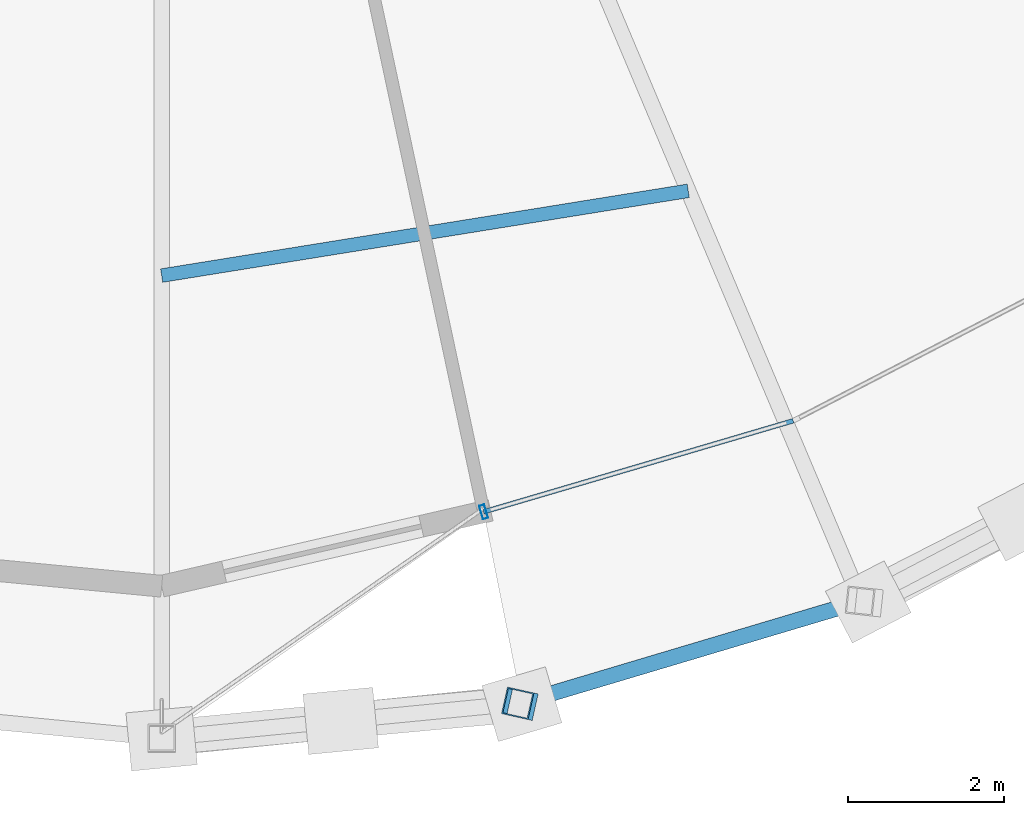
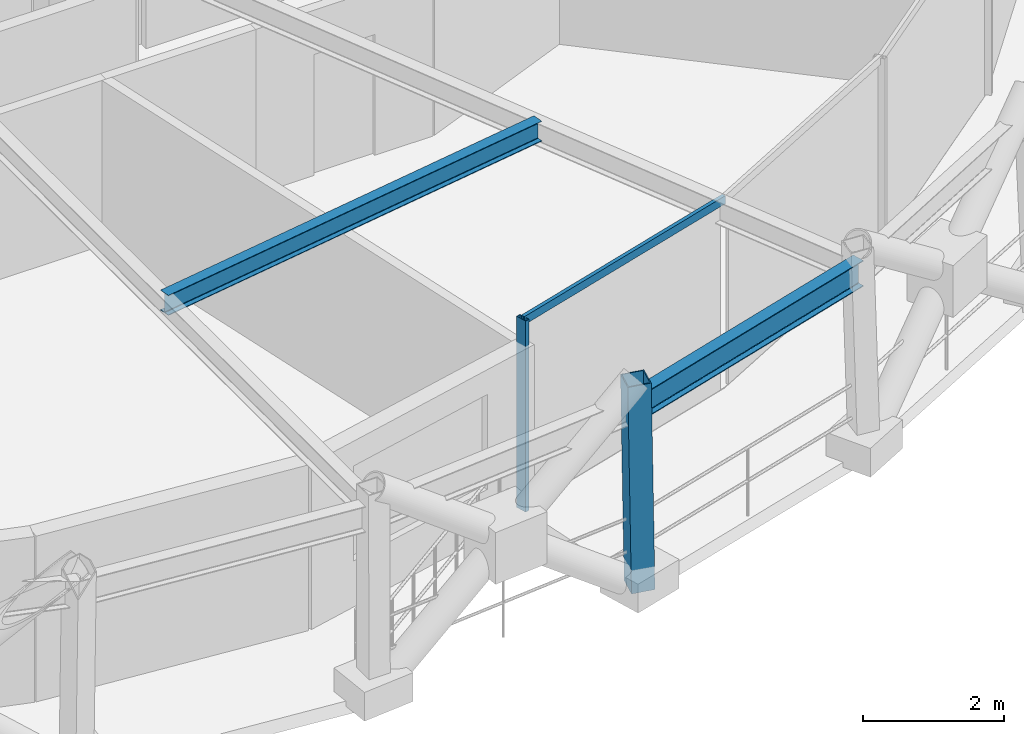
# One storey, part 2 of 16: 3 members, 2 beams, 1 element without a shape of its own.
"""IFC4 building model written with IfcOpenShell, lengths in metres."""

from ifc_helpers import new_model, si_unit, direction, frame, origin, origin_2d, place, context, subcontext, project, spatial, hollow_rectangle, i_section, extrude, material, layer, layer_set, material_profile, profile_set, type_object, element, aggregate, save


model = new_model("IFC4")

# Units and contexts
model_context = context("Model", 3, precision=1e-05, world=origin(), true_north=direction((0.0, 1.0)))
body_context = subcontext(model_context, "Body", "Model", "MODEL_VIEW")
ifc_project = project(units=[si_unit("LENGTHUNIT", "METRE"), si_unit("AREAUNIT", "SQUARE_METRE"), si_unit("VOLUMEUNIT", "CUBIC_METRE"), si_unit("PLANEANGLEUNIT", "RADIAN"), si_unit("MASSUNIT", "GRAM", prefix="KILO")], contexts=[model_context])

# Site, building, storey
site_placement = place(None, origin())
site = spatial("IfcSite", under=ifc_project, at=site_placement, CompositionType="ELEMENT")
building_placement = place(site_placement, origin())
building = spatial("IfcBuilding", under=site, at=building_placement, Name="Veldorina Hangang Commons", CompositionType="ELEMENT")
storey_placement = place(building_placement, frame((0.0, 0.0, 240.0)))
storey = spatial("IfcBuildingStorey", under=building, at=storey_placement, Name="L62", CompositionType="ELEMENT", Elevation=240.0)

# Beams
ifc_material_1 = material(Name="Steel SM355-TMC", Category="steel")
ifc_material_profile_1 = material_profile(ifc_material_1, i_section(OverallWidth=0.175048828125, OverallDepth=0.35009765625, WebThickness=0.007080078125, FlangeThickness=0.010986328125, FilletRadius=0.012939453125, at=origin_2d()), Name="H-350x175x7x11")
ifc_profile_set_1 = profile_set([ifc_material_profile_1], Name="Steel SM355-TMC")
beam_type_1 = type_object("IfcBeamType", Name="BM-JST350", PredefinedType="JOIST", material=ifc_profile_set_1)
beam_1_placement = place(storey_placement, frame((32.0, 6.857421875, 3.18505859375), z_axis=(0.987285882717, 0.158954665825, 0.0), x_axis=(-0.158954665825, 0.987285882717, 0.0)))
element("IfcBeam", 1, at=beam_1_placement, inside=storey, type_object=beam_type_1, Name="L62 secondary floor joist 13", PredefinedType="JOIST", context=body_context, shape_type="SweptSolid", body=[
    extrude(i_section(OverallWidth=0.175048828125, OverallDepth=0.35009765625, WebThickness=0.007080078125, FlangeThickness=0.010986328125, FilletRadius=0.012939453125, at=origin_2d()), origin(), (0.0, 0.0, 1.0), 6.853271484375),
])
ifc_material_profile_2 = material_profile(ifc_material_1, i_section(OverallWidth=0.199951171875, OverallDepth=0.449951171875, WebThickness=0.009033203125, FlangeThickness=0.013916015625, FilletRadius=0.01611328125, at=origin_2d()), Name="H-450x200x9x14")
ifc_profile_set_2 = profile_set([ifc_material_profile_2], Name="Steel SM355-TMC")
beam_type_2 = type_object("IfcBeamType", Name="BM-RB450", PredefinedType="BEAM", material=ifc_profile_set_2)
beam_2_placement = place(storey_placement, frame((36.58251953125, 1.360107421875, 3.135009765625), z_axis=(0.958308680309, 0.285734970286, 0.0), x_axis=(-0.285734970286, 0.958308680309, 0.0)))
element("IfcBeam", 2, at=beam_2_placement, inside=storey, type_object=beam_type_2, Name="L62 perimeter hoop ring beam 25", PredefinedType="BEAM", context=body_context, shape_type="SweptSolid", body=[
    extrude(i_section(OverallWidth=0.199951171875, OverallDepth=0.449951171875, WebThickness=0.009033203125, FlangeThickness=0.013916015625, FilletRadius=0.01611328125, at=origin_2d()), origin(), (0.0, 0.0, 1.0), 4.59765625),
])

# Curtain wall, members
ifc_material_2 = material(Name="Glass Low-E Selective", Category="glass")
ifc_layer = layer(ifc_material_2, 0.179931640625)
ifc_layer_set = layer_set([ifc_layer], Name="Glass Low-E Selective")
curtain_wall_type = type_object("IfcCurtainWallType", Name="CW-SYS-Z3", PredefinedType="NOTDEFINED", material=ifc_layer_set)
curtain_wall_placement = place(storey_placement, origin())
curtain_wall = element("IfcCurtainWall", 3, at=curtain_wall_placement, inside=storey, type_object=curtain_wall_type, Name="L62 unitised curtain wall CW-L62-R1", PredefinedType="NOTDEFINED")
ifc_material_3 = material(Name="Aluminium Anodized AA6063-T6", Category="aluminium")
ifc_material_profile_3 = material_profile(ifc_material_3, hollow_rectangle(XDim=0.070068359375, YDim=0.179931640625, WallThickness=0.00390625, at=origin_2d()), Name="ALU-RHS-180x70x4")
ifc_profile_set_3 = profile_set([ifc_material_profile_3], Name="Aluminium Anodized AA6063-T6")
member_type_1 = type_object("IfcMemberType", Name="CW-MUL-180", PredefinedType="MULLION", material=ifc_profile_set_3)
member_1_placement = place(storey_placement, frame((36.136962890625, 3.8212890625, 0.0), z_axis=(0.0, 0.0, 1.0), x_axis=(0.95931397454, 0.282341456843, 0.0)))
member_1 = element("IfcMember", 4, at=member_1_placement, type_object=member_type_1, Name="CW-L62-R1 vertical mullion 1", PredefinedType="MULLION", context=body_context, shape_type="SweptSolid", body=[
    extrude(hollow_rectangle(XDim=0.070068359375, YDim=0.179931640625, WallThickness=0.00390625, at=origin_2d()), origin(), (0.0, 0.0, 1.0), 3.320068359375),
])
ifc_material_profile_4 = material_profile(ifc_material_3, hollow_rectangle(XDim=0.06005859375, YDim=0.139892578125, WallThickness=0.00341796875, at=origin_2d()), Name="ALU-RHS-140x60x3.5")
ifc_profile_set_4 = profile_set([ifc_material_profile_4], Name="Aluminium Anodized AA6063-T6")
member_type_2 = type_object("IfcMemberType", Name="CW-TRN-140", PredefinedType="USERDEFINED", material=ifc_profile_set_4)
member_2_placement = place(storey_placement, frame((36.136962890625, 3.8212890625, 3.280029296875), z_axis=(0.959307356331, 0.282363942615, 0.0), x_axis=(-0.282363942615, 0.959307356331, 0.0)))
member_2 = element("IfcMember", 5, at=member_2_placement, type_object=member_type_2, Name="CW-L62-R1 facet 1 transom 1", ObjectType="TRANSOM", PredefinedType="USERDEFINED", context=body_context, shape_type="SweptSolid", body=[
    extrude(hollow_rectangle(XDim=0.06005859375, YDim=0.139892578125, WallThickness=0.00341796875, at=origin_2d()), origin(), (0.0, 0.0, 1.0), 4.146728515625),
])
aggregate(curtain_wall, [member_1, member_2])

# Member
ifc_material_profile_5 = material_profile(ifc_material_1, hollow_rectangle(XDim=0.35009765625, YDim=0.35009765625, WallThickness=0.01611328125, at=origin_2d()), Name="SHS-350x350x16")
ifc_profile_set_5 = profile_set([ifc_material_profile_5], Name="Steel SM355-TMC")
member_type_3 = type_object("IfcMemberType", Name="STR-SHS350", PredefinedType="STRUT", material=ifc_profile_set_5)
member_3_placement = place(storey_placement, frame((36.628662109375, 1.349853515625, 0.0), z_axis=(-0.014781973284, 0.003322553628, 0.999885220364), x_axis=(-0.219299197918, -0.975657656042, 0.0)))
element("IfcMember", 6, at=member_3_placement, inside=storey, type_object=member_type_3, Name="L62 perimeter ring node post 25", PredefinedType="STRUT", context=body_context, shape_type="SweptSolid", body=[
    extrude(hollow_rectangle(XDim=0.35009765625, YDim=0.35009765625, WallThickness=0.01611328125, at=origin_2d()), origin(), (0.0, 0.0, 1.0), 3.6005859375),
])

save(model, "model.ifc")
